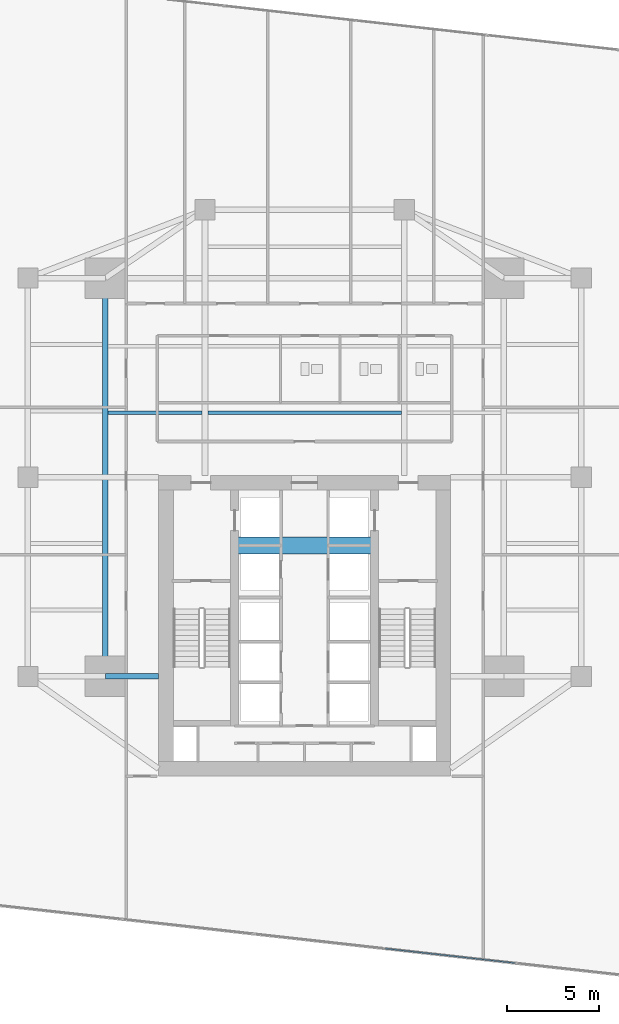
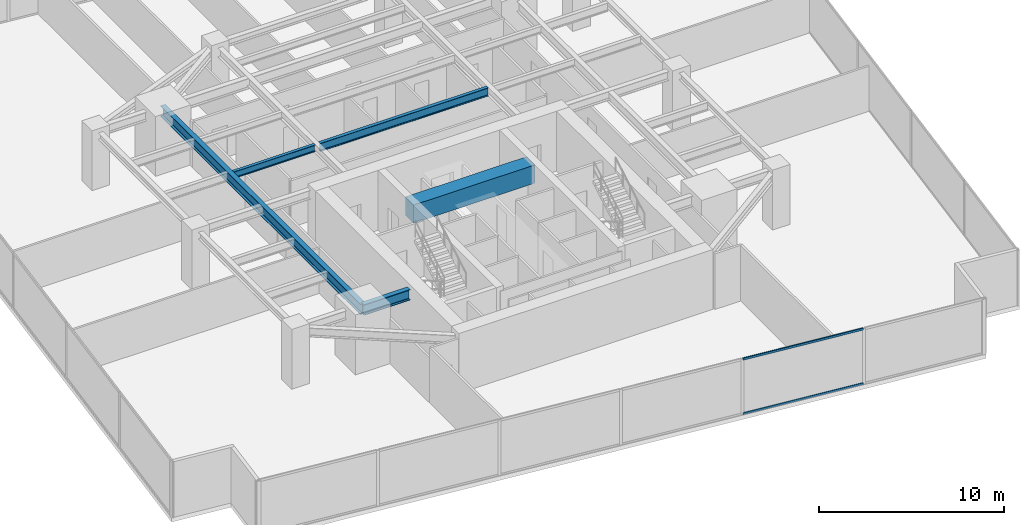
# One storey, part 9 of 29: 5 beams, 2 members, 1 element without a shape of its own.
"""IFC4 building model written with IfcOpenShell, lengths in metres."""

import ifcopenshell
import ifcopenshell.guid

model = None  # the IFC model being written
_history = None  # IfcOwnerHistory: only IFC2X3 demands one
_inside = {}  # id of a spatial element -> (the spatial element, [elements in it])
_under = {}  # id of a project, library or spatial element -> (it, [spatial elements below it])
_declared = {}  # id of a project -> (the project, [libraries it declares])
_typed = {}  # id of a type object -> (the type object, [elements of that type])
_made_of = {}  # id of a material, layer set ... -> (it, [elements and type objects made of it])


def new_model(schema):
    """Start an empty IFC model of exactly this schema.

    Asked for "IFC4X3", IfcOpenShell would pick the latest addendum, in which some entities
    have other attributes; the version numbers below select the first issue.
    IFC2X3 requires an IfcOwnerHistory on every rooted entity: one is made here for all.
    """
    global model, _history
    if schema == "IFC4X3":
        model = ifcopenshell.file(schema_version=(4, 3, 0, 0))
    else:
        model = ifcopenshell.file(schema=schema)
    _inside.clear()
    _under.clear()
    _declared.clear()
    _typed.clear()
    _made_of.clear()
    _history = None
    if model.schema == "IFC2X3":
        org = make("IfcOrganization", Name="unknown")
        user = make(
            "IfcPersonAndOrganization",
            ThePerson=make("IfcPerson", FamilyName="unknown"),
            TheOrganization=org,
        )
        app = make(
            "IfcApplication",
            ApplicationDeveloper=org,
            Version="unknown",
            ApplicationFullName="unknown",
            ApplicationIdentifier="unknown",
        )
        _history = make(
            "IfcOwnerHistory",
            OwningUser=user,
            OwningApplication=app,
            ChangeAction="ADDED",
            CreationDate=0,
        )
    return model


def make(cls, **values):
    """One entity of the class cls with the attributes given. An attribute that is None is left unset."""
    return model.create_entity(
        cls, **{name: value for name, value in values.items() if value is not None}
    )


def rooted(cls, **values):
    """An entity with a GlobalId (a new one), such as an element, a storey or a relation."""
    return make(cls, GlobalId=ifcopenshell.guid.new(), OwnerHistory=_history, **values)


def si_unit(unit_type, name, prefix=None):
    """IfcSIUnit, for example si_unit("LENGTHUNIT", "METRE", prefix="MILLI")."""
    return make("IfcSIUnit", UnitType=unit_type, Prefix=prefix, Name=name)


def assignment(units):
    """IfcUnitAssignment: the units of a project."""
    return None if units is None else make("IfcUnitAssignment", Units=units)


def point(xyz):
    """IfcCartesianPoint."""
    return None if xyz is None else make("IfcCartesianPoint", Coordinates=xyz)


def direction(xyz):
    """IfcDirection."""
    return None if xyz is None else make("IfcDirection", DirectionRatios=xyz)


def frame(location, z_axis=None, x_axis=None):
    """IfcAxis2Placement3D, a coordinate frame: its origin and axes. An axis left out is left unset."""
    return make(
        "IfcAxis2Placement3D",
        Location=point(location),
        Axis=direction(z_axis),
        RefDirection=direction(x_axis),
    )


def frame_2d(location, x_axis=None):
    """IfcAxis2Placement2D, a coordinate frame in the plane: its origin and x axis."""
    return make(
        "IfcAxis2Placement2D", Location=point(location), RefDirection=direction(x_axis)
    )


def origin():
    """The frame at (0, 0, 0) with its axes left unset."""
    return frame((0.0, 0.0, 0.0))


def origin_2d():
    """The frame at (0, 0) in the plane with its x axis left unset."""
    return frame_2d((0.0, 0.0))


def place(relative_to, where):
    """IfcLocalPlacement: puts the frame where relative to a parent placement (None: the world)."""
    return make(
        "IfcLocalPlacement", PlacementRelTo=relative_to, RelativePlacement=where
    )


def context(
    kind, dimensions, precision=None, world=None, true_north=None, identifier=None
):
    """IfcGeometricRepresentationContext, for example the 3D "Model" context."""
    return make(
        "IfcGeometricRepresentationContext",
        ContextIdentifier=identifier,
        ContextType=kind,
        CoordinateSpaceDimension=dimensions,
        Precision=precision,
        WorldCoordinateSystem=world,
        TrueNorth=true_north,
    )


def subcontext(parent, identifier, kind, view, scale=None):
    """IfcGeometricRepresentationSubContext, for example "Body" below "Model"."""
    return make(
        "IfcGeometricRepresentationSubContext",
        ContextIdentifier=identifier,
        ContextType=kind,
        ParentContext=parent,
        TargetScale=scale,
        TargetView=view,
    )


def project(units=None, contexts=None):
    """IfcProject with its units and contexts."""
    return rooted(
        "IfcProject",
        Name="project",
        RepresentationContexts=contexts,
        UnitsInContext=assignment(units),
    )


def spatial(cls, under=None, at=None, **own):
    """A site, building, storey or space (cls), placed at a placement, below another one or the project."""
    s = rooted(cls, ObjectPlacement=at, **own)
    if under is not None:
        _under.setdefault(under.id(), (under, []))[1].append(s)
    return s


def profile(cls, at=None, kind="AREA", **sizes):
    """A parametric profile (cls). Its sizes go by their IFC names, for example OverallWidth=200.0."""
    return make(cls, ProfileType=kind, Position=at, **sizes)


def rectangle(**sizes):
    """IfcRectangleProfileDef."""
    return profile("IfcRectangleProfileDef", **sizes)


def hollow_rectangle(**sizes):
    """IfcRectangleHollowProfileDef."""
    return profile("IfcRectangleHollowProfileDef", **sizes)


def i_section(**sizes):
    """IfcIShapeProfileDef."""
    return profile("IfcIShapeProfileDef", **sizes)


def extrude(swept, where, along, depth):
    """IfcExtrudedAreaSolid: the profile swept, set in the frame where, extruded along a direction by depth."""
    return make(
        "IfcExtrudedAreaSolid",
        SweptArea=swept,
        Position=where,
        ExtrudedDirection=direction(along),
        Depth=depth,
    )


def shape(context_of_items, identifier, shape_type, items):
    """IfcShapeRepresentation: the items that make up one representation, for example the "Body"."""
    return make(
        "IfcShapeRepresentation",
        ContextOfItems=context_of_items,
        RepresentationIdentifier=identifier,
        RepresentationType=shape_type,
        Items=items,
    )


def source(mapping_origin, context_of_items, identifier, shape_type, items):
    """IfcRepresentationMap: a shape defined once, which mapped items show again and again."""
    return make(
        "IfcRepresentationMap",
        MappingOrigin=mapping_origin,
        MappedRepresentation=shape(context_of_items, identifier, shape_type, items),
    )


def transform(
    local_origin,
    x_axis=None,
    y_axis=None,
    z_axis=None,
    scale=None,
    scale2=None,
    scale3=None,
    uniform=True,
):
    """IfcCartesianTransformationOperator3D, or its non-uniform kind. x_axis, y_axis, z_axis: its Axis1, 2, 3."""
    if uniform:
        return make(
            "IfcCartesianTransformationOperator3D",
            Axis1=direction(x_axis),
            Axis2=direction(y_axis),
            LocalOrigin=point(local_origin),
            Scale=scale,
            Axis3=direction(z_axis),
        )
    return make(
        "IfcCartesianTransformationOperator3DnonUniform",
        Axis1=direction(x_axis),
        Axis2=direction(y_axis),
        LocalOrigin=point(local_origin),
        Scale=scale,
        Axis3=direction(z_axis),
        Scale2=scale2,
        Scale3=scale3,
    )


def mapped(mapping_source, mapping_target):
    """IfcMappedItem: shows the shape of a source again, moved by a transform."""
    return make(
        "IfcMappedItem", MappingSource=mapping_source, MappingTarget=mapping_target
    )


def material(Name=None, Category=None):
    """IfcMaterial."""
    return make("IfcMaterial", Name=Name, Category=Category)


def material_profile(
    of_material, cross_section, Name=None, Category=None, Priority=None
):
    """IfcMaterialProfile: a cross section and its material."""
    return make(
        "IfcMaterialProfile",
        Name=Name,
        Material=of_material,
        Profile=cross_section,
        Priority=Priority,
        Category=Category,
    )


def profile_set(profiles, Name=None, composite=None):
    """IfcMaterialProfileSet."""
    return make(
        "IfcMaterialProfileSet",
        Name=Name,
        MaterialProfiles=profiles,
        CompositeProfile=composite,
    )


def made_of(thing, what):
    """Note that an element or type object is made of a material, layer set ...; save() writes the relation."""
    if what is not None:
        _made_of.setdefault(what.id(), (what, []))[1].append(thing)
    return thing


def type_object(cls, material=None, **own):
    """A type object (cls), such as IfcWallType, which elements share."""
    return made_of(rooted(cls, **own), material)


def type_shapes(of_type, sources):
    """Give a type object the sources (RepresentationMaps) that its elements show as mapped items."""
    of_type.RepresentationMaps = sources


def element(
    cls,
    number,
    at=None,
    inside=None,
    cuts=None,
    type_object=None,
    material=None,
    context=None,
    identifier="Body",
    shape_type=None,
    held_by="IfcProductDefinitionShape",
    body=None,
    shapes=None,
    **own,
):
    """One element of the class cls, such as IfcWall. Its Tag is "e" and its number.

    at: its placement. inside: the storey or other place that contains it. cuts: it is an
    opening in that element (IfcRelVoidsElement). A single representation is given by context,
    identifier, shape_type and body (its items); several are given by shapes. held_by: the class
    of the entity that holds the representations. save() writes the other relations.
    """
    e = rooted(cls, Tag="e%d" % number, ObjectPlacement=at, **own)
    if body is not None:
        shapes = [shape(context, identifier, shape_type, body)]
    if shapes is not None:
        e.Representation = make(held_by, Representations=shapes)
    if inside is not None:
        _inside.setdefault(inside.id(), (inside, []))[1].append(e)
    if cuts is not None:
        rooted(
            "IfcRelVoidsElement", RelatingBuildingElement=cuts, RelatedOpeningElement=e
        )
    if type_object is not None:
        _typed.setdefault(type_object.id(), (type_object, []))[1].append(e)
    return made_of(e, material)


def aggregate(whole, parts):
    """IfcRelAggregates: a whole, such as a stair, and the parts it consists of."""
    return rooted("IfcRelAggregates", RelatingObject=whole, RelatedObjects=parts)


def save(model, path):
    """Write the relations noted so far, then the file.

    IfcRelAggregates (storeys below a building ...), IfcRelContainedInSpatialStructure (elements
    in a storey), IfcRelDefinesByType, IfcRelAssociatesMaterial and IfcRelDeclares: one each for
    every whole, place, type object, material and project.
    """
    for whole, parts in _under.values():
        aggregate(whole, parts)
    for where, things in _inside.values():
        rooted(
            "IfcRelContainedInSpatialStructure",
            RelatedElements=things,
            RelatingStructure=where,
        )
    for kind, things in _typed.values():
        rooted("IfcRelDefinesByType", RelatedObjects=things, RelatingType=kind)
    for what, things in _made_of.values():
        rooted("IfcRelAssociatesMaterial", RelatedObjects=things, RelatingMaterial=what)
    for by, libraries in _declared.values():
        rooted("IfcRelDeclares", RelatingContext=by, RelatedDefinitions=libraries)
    model.write(path)


model = new_model("IFC4")

# Units and contexts
model_context = context("Model", 3, precision=1e-05, world=origin(), true_north=direction((0.0, 1.0)))
body_context = subcontext(model_context, "Body", "Model", "MODEL_VIEW")
ifc_project = project(units=[si_unit("LENGTHUNIT", "METRE"), si_unit("AREAUNIT", "SQUARE_METRE"), si_unit("VOLUMEUNIT", "CUBIC_METRE"), si_unit("PLANEANGLEUNIT", "RADIAN"), si_unit("MASSUNIT", "GRAM", prefix="KILO")], contexts=[model_context])

# Site, building, storey
site_placement = place(None, origin())
site = spatial("IfcSite", under=ifc_project, at=site_placement, CompositionType="ELEMENT")
building_placement = place(site_placement, origin())
building = spatial("IfcBuilding", under=site, at=building_placement, Name="Krantzveldt Concourse Tower", CompositionType="ELEMENT")
storey_placement = place(building_placement, frame((0.0, 0.0, 60.550048828125)))
storey = spatial("IfcBuildingStorey", under=building, at=storey_placement, Name="L14", CompositionType="ELEMENT", Elevation=60.550048828125)

# Beams
ifc_material_1 = material(Name="Concrete C50/60", Category="concrete")
ifc_material_profile_1 = material_profile(ifc_material_1, rectangle(XDim=0.89990234375, YDim=1.199951171875, at=origin_2d()), Name="Concrete C50/60", Category="concrete")
ifc_profile_set_1 = profile_set([ifc_material_profile_1], Name="Concrete C50/60 - RC-CB 900x1200")
beam_type_1 = type_object("IfcBeamType", Name="BM-CB-1200", PredefinedType="LINTEL", material=ifc_profile_set_1)
shared_shape_1 = source(origin(), body_context, "Body", "SweptSolid", [
    extrude(rectangle(XDim=0.89990234375, YDim=1.199951171875, at=origin_2d()), origin(), (0.0, 0.0, 1.0), 7.580078125),
])
type_shapes(beam_type_1, [shared_shape_1])
beam_1_placement = place(storey_placement, frame((32.2099609375, 23.0, 3.070068359375), z_axis=(1.0, 0.0, 0.0), x_axis=(0.0, 1.0, 0.0)))
element("IfcBeam", 1, at=beam_1_placement, inside=storey, type_object=beam_type_1, Name="CB-L14-01", PredefinedType="LINTEL", context=body_context, shape_type="MappedRepresentation", body=[
    mapped(shared_shape_1, transform((0.0, 0.0, 0.0), x_axis=(1.0, 0.0, 0.0), y_axis=(0.0, 1.0, 0.0), z_axis=(0.0, 0.0, 1.0), scale=1.0)),
])
ifc_material_2 = material(Name="Steel S355J2", Category="steel")
ifc_material_profile_2 = material_profile(ifc_material_2, i_section(OverallWidth=0.300048828125, OverallDepth=0.699951171875, WebThickness=0.01708984375, FlangeThickness=0.031982421875, FilletRadius=0.027099609375, at=origin_2d()), Name="Steel S355J2", Category="steel")
ifc_profile_set_2 = profile_set([ifc_material_profile_2], Name="Steel S355J2 - HEB 700")
beam_type_2 = type_object("IfcBeamType", Name="BM-B-HEB700", PredefinedType="BEAM", material=ifc_profile_set_2)
shared_shape_2 = source(origin(), body_context, "Body", "SweptSolid", [
    extrude(i_section(OverallWidth=0.300048828125, OverallDepth=0.699951171875, WebThickness=0.01708984375, FlangeThickness=0.031982421875, FilletRadius=0.027099609375, at=origin_2d()), origin(), (0.0, 0.0, 1.0), 2.880126953125),
])
beam_2_placement = place(storey_placement, frame((25.199951171875, 15.89990234375, 3.320068359375), z_axis=(1.0, 0.0, 0.0), x_axis=(0.0, 1.0, 0.0)))
element("IfcBeam", 2, at=beam_2_placement, inside=storey, type_object=beam_type_2, Name="L14 Tower Girder BG-CW1", PredefinedType="BEAM", context=body_context, shape_type="MappedRepresentation", body=[
    mapped(shared_shape_2, transform((0.0, 0.0, 0.0), x_axis=(1.0, 0.0, 0.0), y_axis=(0.0, 1.0, 0.0), z_axis=(0.0, 0.0, 1.0), scale=1.0)),
])
shared_shape_3 = source(origin(), body_context, "Body", "SweptSolid", [
    extrude(i_section(OverallWidth=0.300048828125, OverallDepth=0.699951171875, WebThickness=0.01708984375, FlangeThickness=0.031982421875, FilletRadius=0.027099609375, at=origin_2d()), origin(), (0.0, 0.0, 1.0), 21.60009765625),
])
type_shapes(beam_type_2, [shared_shape_2, shared_shape_3])
beam_3_placement = place(storey_placement, frame((25.199951171875, 15.89990234375, 3.320068359375), z_axis=(0.0, 1.0, 0.0), x_axis=(-1.0, 0.0, 0.0)))
element("IfcBeam", 3, at=beam_3_placement, inside=storey, type_object=beam_type_2, Name="L14 Tower Girder BG-MW", PredefinedType="BEAM", context=body_context, shape_type="MappedRepresentation", body=[
    mapped(shared_shape_3, transform((0.0, 0.0, 0.0), x_axis=(1.0, 0.0, 0.0), y_axis=(0.0, 1.0, 0.0), z_axis=(0.0, 0.0, 1.0), scale=1.0)),
])
ifc_material_3 = material(Name="Steel S355JR", Category="steel")
ifc_material_profile_3 = material_profile(ifc_material_3, i_section(OverallWidth=0.2099609375, OverallDepth=0.550048828125, WebThickness=0.010986328125, FlangeThickness=0.01708984375, FilletRadius=0.02392578125, at=origin_2d()), Name="Steel S355JR", Category="steel")
ifc_profile_set_3 = profile_set([ifc_material_profile_3], Name="Steel S355JR - IPE 550")
beam_type_3 = type_object("IfcBeamType", Name="BM-J-IPE550", PredefinedType="JOIST", material=ifc_profile_set_3)
shared_shape_4 = source(origin(), body_context, "Body", "SweptSolid", [
    extrude(i_section(OverallWidth=0.2099609375, OverallDepth=0.550048828125, WebThickness=0.010986328125, FlangeThickness=0.01708984375, FilletRadius=0.02392578125, at=origin_2d()), origin(), (0.0, 0.0, 1.0), 10.5),
])
type_shapes(beam_type_3, [shared_shape_4])
beam_4_placement = place(storey_placement, frame((30.75, 30.199951171875, 3.39501953125), z_axis=(1.0, 0.0, 0.0), x_axis=(0.0, 1.0, 0.0)))
element("IfcBeam", 4, at=beam_4_placement, inside=storey, type_object=beam_type_3, Name="L14 Secondary Floor Joist JN-C1", PredefinedType="JOIST", context=body_context, shape_type="MappedRepresentation", body=[
    mapped(shared_shape_4, transform((0.0, 0.0, 0.0), x_axis=(1.0, 0.0, 0.0), y_axis=(0.0, 1.0, 0.0), z_axis=(0.0, 0.0, 1.0), scale=1.0)),
])
ifc_material_profile_4 = material_profile(ifc_material_3, i_section(OverallWidth=0.18994140625, OverallDepth=0.449951171875, WebThickness=0.009521484375, FlangeThickness=0.0146484375, FilletRadius=0.02099609375, at=origin_2d()), Name="Steel S355JR", Category="steel")
ifc_profile_set_4 = profile_set([ifc_material_profile_4], Name="Steel S355JR - IPE 450")
beam_type_4 = type_object("IfcBeamType", Name="BM-J-IPE450", PredefinedType="JOIST", material=ifc_profile_set_4)
shared_shape_5 = source(origin(), body_context, "Body", "SweptSolid", [
    extrude(i_section(OverallWidth=0.18994140625, OverallDepth=0.449951171875, WebThickness=0.009521484375, FlangeThickness=0.0146484375, FilletRadius=0.02099609375, at=origin_2d()), origin(), (0.0, 0.0, 1.0), 5.099853515625),
])
type_shapes(beam_type_4, [shared_shape_5])
beam_5_placement = place(storey_placement, frame((25.35009765625, 30.199951171875, 3.445068359375), z_axis=(1.0, 0.0, 0.0), x_axis=(0.0, 1.0, 0.0)))
element("IfcBeam", 5, at=beam_5_placement, inside=storey, type_object=beam_type_4, Name="L14 Secondary Floor Joist JN-W1", PredefinedType="JOIST", context=body_context, shape_type="MappedRepresentation", body=[
    mapped(shared_shape_5, transform((0.0, 0.0, 0.0), x_axis=(1.0, 0.0, 0.0), y_axis=(0.0, 1.0, 0.0), z_axis=(0.0, 0.0, 1.0), scale=1.0)),
])

# Curtain wall, members
ifc_material_4 = material(Name="Anodised aluminium 6063-T6", Category="aluminium")
curtain_wall_type = type_object("IfcCurtainWallType", Name="CW2", PredefinedType="USERDEFINED", material=ifc_material_4)
curtain_wall_placement = place(storey_placement, origin())
curtain_wall = element("IfcCurtainWall", 6, at=curtain_wall_placement, inside=storey, type_object=curtain_wall_type, Name="CW-L14-F04", ObjectType="UNITISED CURTAIN WALL", PredefinedType="USERDEFINED")
ifc_material_profile_5 = material_profile(ifc_material_4, hollow_rectangle(XDim=0.070068359375, YDim=0.139892578125, WallThickness=0.0048828125, at=origin_2d()), Name="Anodised aluminium 6063-T6", Category="aluminium")
ifc_profile_set_5 = profile_set([ifc_material_profile_5], Name="Anodised aluminium 6063-T6 - ALU-TRAN 140x70x5")
member_type = type_object("IfcMemberType", Name="CW-TRN-150", PredefinedType="USERDEFINED", material=ifc_profile_set_5)
shared_shape_6 = source(origin(), body_context, "Body", "SweptSolid", [
    extrude(hollow_rectangle(XDim=0.070068359375, YDim=0.139892578125, WallThickness=0.0048828125, at=origin_2d()), origin(), (0.0, 0.0, 1.0), 7.0966796875),
])
type_shapes(member_type, [shared_shape_6])
member_1_placement = place(storey_placement, frame((40.391357421875, 1.144287109375, 0.034912109375), z_axis=(0.993818533296, -0.111016768449, 0.0), x_axis=(0.111016768449, 0.993818533296, 0.0)))
member_1 = element("IfcMember", 7, at=member_1_placement, type_object=member_type, Name="CW-Z12 transom 5.1", ObjectType="TRANSOM", PredefinedType="USERDEFINED", context=body_context, shape_type="MappedRepresentation", body=[
    mapped(shared_shape_6, transform((0.0, 0.0, 0.0), x_axis=(1.0, 0.0, 0.0), y_axis=(0.0, 1.0, 0.0), z_axis=(0.0, 0.0, 1.0), scale=1.0)),
])
member_2_placement = place(storey_placement, frame((40.391357421875, 1.144287109375, 3.635009765625), z_axis=(0.993818533296, -0.111016768449, 0.0), x_axis=(0.111016768449, 0.993818533296, 0.0)))
member_2 = element("IfcMember", 8, at=member_2_placement, type_object=member_type, Name="CW-Z12 transom 5.2", ObjectType="TRANSOM", PredefinedType="USERDEFINED", context=body_context, shape_type="MappedRepresentation", body=[
    mapped(shared_shape_6, transform((0.0, 0.0, 0.0), x_axis=(1.0, 0.0, 0.0), y_axis=(0.0, 1.0, 0.0), z_axis=(0.0, 0.0, 1.0), scale=1.0)),
])
aggregate(curtain_wall, [member_1, member_2])

save(model, "model.ifc")
